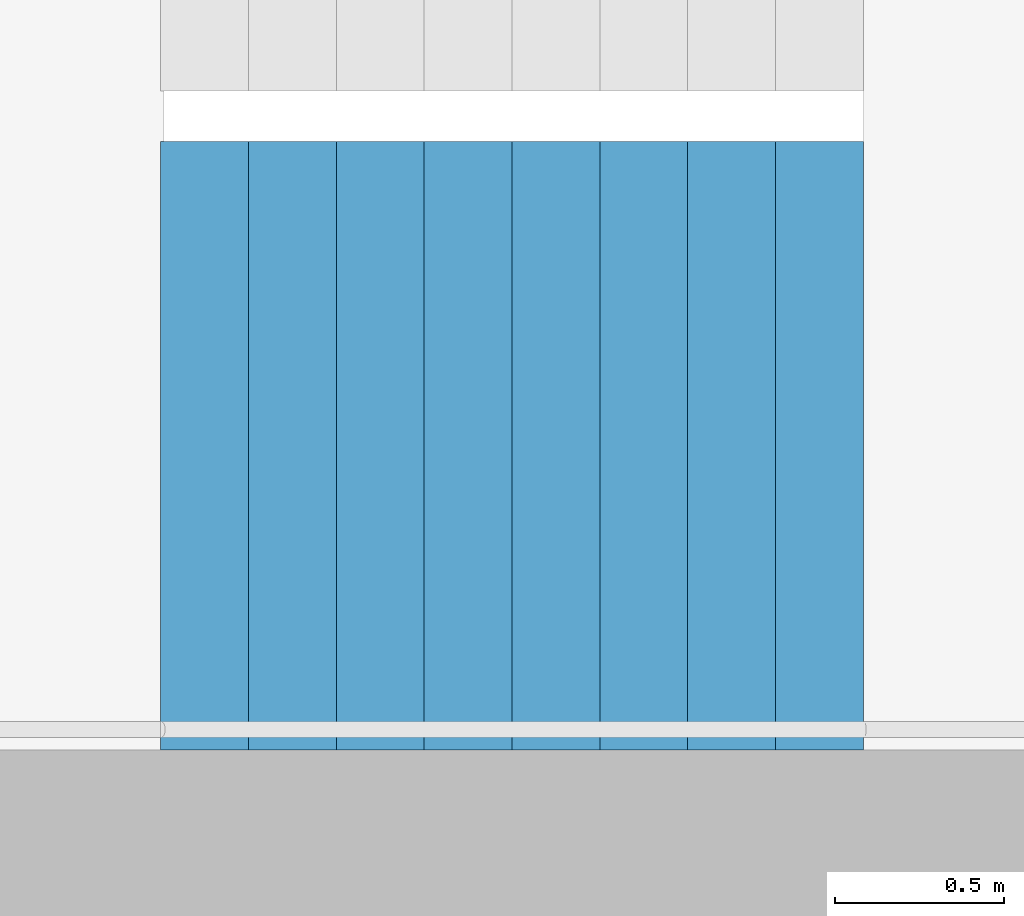
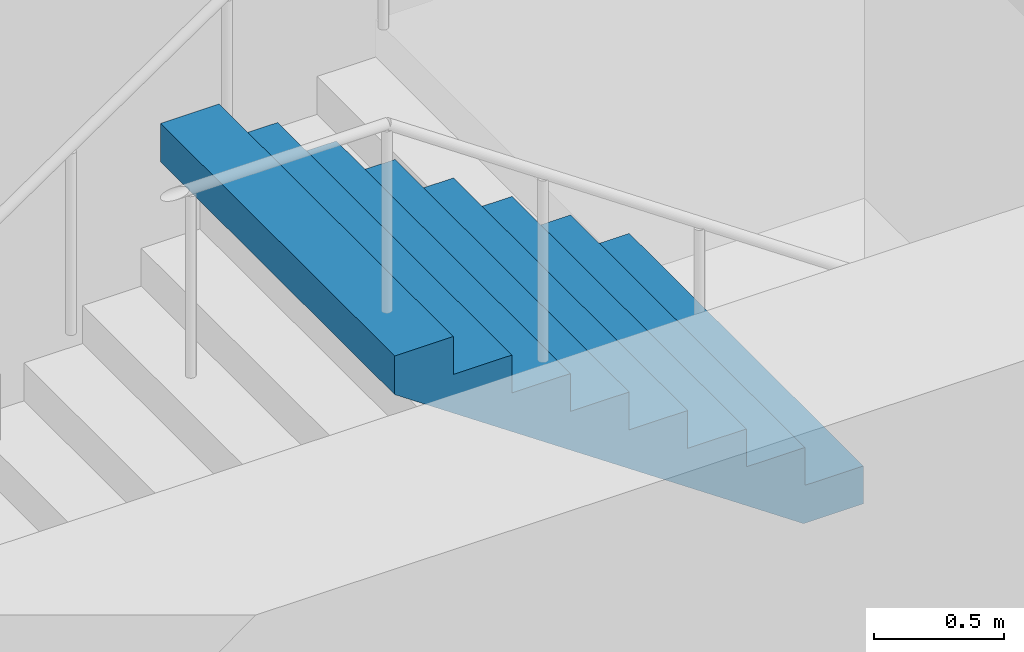
# One storey, part 20 of 28: 1 stair flight, 1 element without a shape of its own.
"""IFC4 building model written with IfcOpenShell, lengths in metres."""

from ifc_helpers import new_model, si_unit, direction, frame, origin, place, context, subcontext, project, spatial, triangles, material, type_object, element, aggregate, save


model = new_model("IFC4")

# Units and contexts
model_context = context("Model", 3, precision=1e-05, world=origin(), true_north=direction((0.0, 1.0)))
body_context = subcontext(model_context, "Body", "Model", "MODEL_VIEW")
ifc_project = project(units=[si_unit("LENGTHUNIT", "METRE"), si_unit("AREAUNIT", "SQUARE_METRE"), si_unit("VOLUMEUNIT", "CUBIC_METRE"), si_unit("PLANEANGLEUNIT", "RADIAN"), si_unit("MASSUNIT", "GRAM", prefix="KILO")], contexts=[model_context])

# Site, building, storey
site_placement = place(None, origin())
site = spatial("IfcSite", under=ifc_project, at=site_placement, CompositionType="ELEMENT")
building_placement = place(site_placement, origin())
building = spatial("IfcBuilding", under=site, at=building_placement, Name="Hakoniwa Tower and Hamabe Station Hall", CompositionType="ELEMENT")
storey_placement = place(building_placement, frame((0.0, 0.0, 218.60009765625)))
storey = spatial("IfcBuildingStorey", under=building, at=storey_placement, Name="L62", CompositionType="ELEMENT", Elevation=218.60009765625)

# Stair, stair flight
ifc_material_1 = material(Name="Concrete C40", Category="concrete")
stair_type = type_object("IfcStairType", Name="ESCAPE STAIR 1800", PredefinedType="HALF_TURN_STAIR", material=ifc_material_1)
stair_placement = place(storey_placement, origin())
stair = element("IfcStair", 1, at=stair_placement, inside=storey, type_object=stair_type, Name="Escape stair ST-4 L62", PredefinedType="HALF_TURN_STAIR")
ifc_material_2 = material(Name="Concrete C40", Category="concrete")
stair_flight_type = type_object("IfcStairFlightType", Name="STAIR FLIGHT 1800", PredefinedType="STRAIGHT", material=ifc_material_2)
stair_flight_placement = place(storey_placement, frame((25.47998046875, -6.60009765625, 1.599853515625), z_axis=(0.0, 0.0, 1.0), x_axis=(-1.0, 0.0, 0.0)))
stair_flight = element("IfcStairFlight", 2, at=stair_flight_placement, type_object=stair_flight_type, Name="ST-4 flight 2", NumberOfRisers=9, NumberOfTreads=8, PredefinedType="STRAIGHT", RiserHeight=0.177777778, TreadLength=0.26, context=body_context, shape_type="Tessellation", body=[
    triangles([(0.0, 0.89990234375, 0.0), (0.260009765625, 0.89990234375, 0.0), (0.265625, 0.89990234375, 0.0), (0.52001953125, 0.89990234375, 0.174072265625), (0.780029296875, 0.89990234375, 0.351806640625), (1.0400390625, 0.89990234375, 0.529541015625), (1.300048828125, 0.89990234375, 0.707275390625), (1.56005859375, 0.89990234375, 0.885009765625), (1.820068359375, 0.89990234375, 1.062744140625), (2.080078125, 0.89990234375, 1.24072265625), (2.080078125, 0.89990234375, 1.422119140625), (1.820068359375, 0.89990234375, 1.422119140625), (1.820068359375, 0.89990234375, 1.244384765625), (1.56005859375, 0.89990234375, 1.244384765625), (1.56005859375, 0.89990234375, 1.066650390625), (1.300048828125, 0.89990234375, 1.066650390625), (1.300048828125, 0.89990234375, 0.888916015625), (1.0400390625, 0.89990234375, 0.888916015625), (1.0400390625, 0.89990234375, 0.711181640625), (0.780029296875, 0.89990234375, 0.711181640625), (0.780029296875, 0.89990234375, 0.533447265625), (0.52001953125, 0.89990234375, 0.533447265625), (0.52001953125, 0.89990234375, 0.35546875), (0.265625, 0.89990234375, 0.35546875), (0.260009765625, 0.89990234375, 0.35546875), (0.260009765625, 0.89990234375, 0.177734375), (0.0, 0.89990234375, 0.177734375), (0.0, 0.06005859375, 0.0), (0.260009765625, 0.06005859375, 0.0), (0.265625, 0.06005859375, 0.0), (0.52001953125, 0.06005859375, 0.174072265625), (0.780029296875, 0.06005859375, 0.351806640625), (1.0400390625, 0.06005859375, 0.529541015625), (1.300048828125, 0.06005859375, 0.707275390625), (1.56005859375, 0.06005859375, 0.885009765625), (1.820068359375, 0.06005859375, 1.062744140625), (2.080078125, 0.06005859375, 1.24072265625), (2.080078125, 0.06005859375, 1.422119140625), (1.820068359375, 0.06005859375, 1.422119140625), (1.820068359375, 0.06005859375, 1.244384765625), (1.56005859375, 0.06005859375, 1.244384765625), (1.56005859375, 0.06005859375, 1.066650390625), (1.300048828125, 0.06005859375, 1.066650390625), (1.300048828125, 0.06005859375, 0.888916015625), (1.0400390625, 0.06005859375, 0.888916015625), (1.0400390625, 0.06005859375, 0.711181640625), (0.780029296875, 0.06005859375, 0.711181640625), (0.780029296875, 0.06005859375, 0.533447265625), (0.52001953125, 0.06005859375, 0.533447265625), (0.52001953125, 0.06005859375, 0.35546875), (0.265625, 0.06005859375, 0.35546875), (0.260009765625, 0.06005859375, 0.35546875), (0.260009765625, 0.06005859375, 0.177734375), (0.0, 0.06005859375, 0.177734375), (0.0, 0.04296875, 0.0), (0.260009765625, 0.04296875, 0.0), (0.265625, 0.04296875, 0.0), (0.52001953125, 0.04296875, 0.174072265625), (0.780029296875, 0.04296875, 0.351806640625), (1.0400390625, 0.04296875, 0.529541015625), (1.300048828125, 0.04296875, 0.707275390625), (1.56005859375, 0.04296875, 0.885009765625), (1.820068359375, 0.04296875, 1.062744140625), (2.080078125, 0.04296875, 1.24072265625), (2.080078125, 0.04296875, 1.422119140625), (1.820068359375, 0.04296875, 1.422119140625), (1.820068359375, 0.04296875, 1.244384765625), (1.56005859375, 0.04296875, 1.244384765625), (1.56005859375, 0.04296875, 1.066650390625), (1.300048828125, 0.04296875, 1.066650390625), (1.300048828125, 0.04296875, 0.888916015625), (1.0400390625, 0.04296875, 0.888916015625), (1.0400390625, 0.04296875, 0.711181640625), (0.780029296875, 0.04296875, 0.711181640625), (0.780029296875, 0.04296875, 0.533447265625), (0.52001953125, 0.04296875, 0.533447265625), (0.52001953125, 0.04296875, 0.35546875), (0.265625, 0.04296875, 0.35546875), (0.260009765625, 0.04296875, 0.35546875), (0.260009765625, 0.04296875, 0.177734375), (0.0, 0.04296875, 0.177734375), (0.0, 0.025634765625, 0.0), (0.260009765625, 0.025634765625, 0.0), (0.265625, 0.025634765625, 0.0), (0.52001953125, 0.025634765625, 0.174072265625), (0.780029296875, 0.025634765625, 0.351806640625), (1.0400390625, 0.025634765625, 0.529541015625), (1.300048828125, 0.025634765625, 0.707275390625), (1.56005859375, 0.025634765625, 0.885009765625), (1.820068359375, 0.025634765625, 1.062744140625), (2.080078125, 0.025634765625, 1.24072265625), (2.080078125, 0.025634765625, 1.422119140625), (1.820068359375, 0.025634765625, 1.422119140625), (1.820068359375, 0.025634765625, 1.244384765625), (1.56005859375, 0.025634765625, 1.244384765625), (1.56005859375, 0.025634765625, 1.066650390625), (1.300048828125, 0.025634765625, 1.066650390625), (1.300048828125, 0.025634765625, 0.888916015625), (1.0400390625, 0.025634765625, 0.888916015625), (1.0400390625, 0.025634765625, 0.711181640625), (0.780029296875, 0.025634765625, 0.711181640625), (0.780029296875, 0.025634765625, 0.533447265625), (0.52001953125, 0.025634765625, 0.533447265625), (0.52001953125, 0.025634765625, 0.35546875), (0.265625, 0.025634765625, 0.35546875), (0.260009765625, 0.025634765625, 0.35546875), (0.260009765625, 0.025634765625, 0.177734375), (0.0, 0.025634765625, 0.177734375), (0.0, 0.008544921875, 0.0), (0.260009765625, 0.008544921875, 0.0), (0.265625, 0.008544921875, 0.0), (0.52001953125, 0.008544921875, 0.174072265625), (0.780029296875, 0.008544921875, 0.351806640625), (1.0400390625, 0.008544921875, 0.529541015625), (1.300048828125, 0.008544921875, 0.707275390625), (1.56005859375, 0.008544921875, 0.885009765625), (1.820068359375, 0.008544921875, 1.062744140625), (2.080078125, 0.008544921875, 1.24072265625), (2.080078125, 0.008544921875, 1.422119140625), (1.820068359375, 0.008544921875, 1.422119140625), (1.820068359375, 0.008544921875, 1.244384765625), (1.56005859375, 0.008544921875, 1.244384765625), (1.56005859375, 0.008544921875, 1.066650390625), (1.300048828125, 0.008544921875, 1.066650390625), (1.300048828125, 0.008544921875, 0.888916015625), (1.0400390625, 0.008544921875, 0.888916015625), (1.0400390625, 0.008544921875, 0.711181640625), (0.780029296875, 0.008544921875, 0.711181640625), (0.780029296875, 0.008544921875, 0.533447265625), (0.52001953125, 0.008544921875, 0.533447265625), (0.52001953125, 0.008544921875, 0.35546875), (0.265625, 0.008544921875, 0.35546875), (0.260009765625, 0.008544921875, 0.35546875), (0.260009765625, 0.008544921875, 0.177734375), (0.0, 0.008544921875, 0.177734375), (0.0, -0.008544921875, 0.0), (0.260009765625, -0.008544921875, 0.0), (0.265625, -0.008544921875, 0.0), (0.52001953125, -0.008544921875, 0.174072265625), (0.780029296875, -0.008544921875, 0.351806640625), (1.0400390625, -0.008544921875, 0.529541015625), (1.300048828125, -0.008544921875, 0.707275390625), (1.56005859375, -0.008544921875, 0.885009765625), (1.820068359375, -0.008544921875, 1.062744140625), (2.080078125, -0.008544921875, 1.24072265625), (2.080078125, -0.008544921875, 1.422119140625), (1.820068359375, -0.008544921875, 1.422119140625), (1.820068359375, -0.008544921875, 1.244384765625), (1.56005859375, -0.008544921875, 1.244384765625), (1.56005859375, -0.008544921875, 1.066650390625), (1.300048828125, -0.008544921875, 1.066650390625), (1.300048828125, -0.008544921875, 0.888916015625), (1.0400390625, -0.008544921875, 0.888916015625), (1.0400390625, -0.008544921875, 0.711181640625), (0.780029296875, -0.008544921875, 0.711181640625), (0.780029296875, -0.008544921875, 0.533447265625), (0.52001953125, -0.008544921875, 0.533447265625), (0.52001953125, -0.008544921875, 0.35546875), (0.265625, -0.008544921875, 0.35546875), (0.260009765625, -0.008544921875, 0.35546875), (0.260009765625, -0.008544921875, 0.177734375), (0.0, -0.008544921875, 0.177734375), (0.0, -0.025634765625, 0.0), (0.260009765625, -0.025634765625, 0.0), (0.265625, -0.025634765625, 0.0), (0.52001953125, -0.025634765625, 0.174072265625), (0.780029296875, -0.025634765625, 0.351806640625), (1.0400390625, -0.025634765625, 0.529541015625), (1.300048828125, -0.025634765625, 0.707275390625), (1.56005859375, -0.025634765625, 0.885009765625), (1.820068359375, -0.025634765625, 1.062744140625), (2.080078125, -0.025634765625, 1.24072265625), (2.080078125, -0.025634765625, 1.422119140625), (1.820068359375, -0.025634765625, 1.422119140625), (1.820068359375, -0.025634765625, 1.244384765625), (1.56005859375, -0.025634765625, 1.244384765625), (1.56005859375, -0.025634765625, 1.066650390625), (1.300048828125, -0.025634765625, 1.066650390625), (1.300048828125, -0.025634765625, 0.888916015625), (1.0400390625, -0.025634765625, 0.888916015625), (1.0400390625, -0.025634765625, 0.711181640625), (0.780029296875, -0.025634765625, 0.711181640625), (0.780029296875, -0.025634765625, 0.533447265625), (0.52001953125, -0.025634765625, 0.533447265625), (0.52001953125, -0.025634765625, 0.35546875), (0.265625, -0.025634765625, 0.35546875), (0.260009765625, -0.025634765625, 0.35546875), (0.260009765625, -0.025634765625, 0.177734375), (0.0, -0.025634765625, 0.177734375), (0.0, -0.04296875, 0.0), (0.260009765625, -0.04296875, 0.0), (0.265625, -0.04296875, 0.0), (0.52001953125, -0.04296875, 0.174072265625), (0.780029296875, -0.04296875, 0.351806640625), (1.0400390625, -0.04296875, 0.529541015625), (1.300048828125, -0.04296875, 0.707275390625), (1.56005859375, -0.04296875, 0.885009765625), (1.820068359375, -0.04296875, 1.062744140625), (2.080078125, -0.04296875, 1.24072265625), (2.080078125, -0.04296875, 1.422119140625), (1.820068359375, -0.04296875, 1.422119140625), (1.820068359375, -0.04296875, 1.244384765625), (1.56005859375, -0.04296875, 1.244384765625), (1.56005859375, -0.04296875, 1.066650390625), (1.300048828125, -0.04296875, 1.066650390625), (1.300048828125, -0.04296875, 0.888916015625), (1.0400390625, -0.04296875, 0.888916015625), (1.0400390625, -0.04296875, 0.711181640625), (0.780029296875, -0.04296875, 0.711181640625), (0.780029296875, -0.04296875, 0.533447265625), (0.52001953125, -0.04296875, 0.533447265625), (0.52001953125, -0.04296875, 0.35546875), (0.265625, -0.04296875, 0.35546875), (0.260009765625, -0.04296875, 0.35546875), (0.260009765625, -0.04296875, 0.177734375), (0.0, -0.04296875, 0.177734375), (0.0, -0.06005859375, 0.0), (0.260009765625, -0.06005859375, 0.0), (0.265625, -0.06005859375, 0.0), (0.52001953125, -0.06005859375, 0.174072265625), (0.780029296875, -0.06005859375, 0.351806640625), (1.0400390625, -0.06005859375, 0.529541015625), (1.300048828125, -0.06005859375, 0.707275390625), (1.56005859375, -0.06005859375, 0.885009765625), (1.820068359375, -0.06005859375, 1.062744140625), (2.080078125, -0.06005859375, 1.24072265625), (2.080078125, -0.06005859375, 1.422119140625), (1.820068359375, -0.06005859375, 1.422119140625), (1.820068359375, -0.06005859375, 1.244384765625), (1.56005859375, -0.06005859375, 1.244384765625), (1.56005859375, -0.06005859375, 1.066650390625), (1.300048828125, -0.06005859375, 1.066650390625), (1.300048828125, -0.06005859375, 0.888916015625), (1.0400390625, -0.06005859375, 0.888916015625), (1.0400390625, -0.06005859375, 0.711181640625), (0.780029296875, -0.06005859375, 0.711181640625), (0.780029296875, -0.06005859375, 0.533447265625), (0.52001953125, -0.06005859375, 0.533447265625), (0.52001953125, -0.06005859375, 0.35546875), (0.265625, -0.06005859375, 0.35546875), (0.260009765625, -0.06005859375, 0.35546875), (0.260009765625, -0.06005859375, 0.177734375), (0.0, -0.06005859375, 0.177734375), (0.0, -0.89990234375, 0.0), (0.260009765625, -0.89990234375, 0.0), (0.265625, -0.89990234375, 0.0), (0.52001953125, -0.89990234375, 0.174072265625), (0.780029296875, -0.89990234375, 0.351806640625), (1.0400390625, -0.89990234375, 0.529541015625), (1.300048828125, -0.89990234375, 0.707275390625), (1.56005859375, -0.89990234375, 0.885009765625), (1.820068359375, -0.89990234375, 1.062744140625), (2.080078125, -0.89990234375, 1.24072265625), (2.080078125, -0.89990234375, 1.422119140625), (1.820068359375, -0.89990234375, 1.422119140625), (1.820068359375, -0.89990234375, 1.244384765625), (1.56005859375, -0.89990234375, 1.244384765625), (1.56005859375, -0.89990234375, 1.066650390625), (1.300048828125, -0.89990234375, 1.066650390625), (1.300048828125, -0.89990234375, 0.888916015625), (1.0400390625, -0.89990234375, 0.888916015625), (1.0400390625, -0.89990234375, 0.711181640625), (0.780029296875, -0.89990234375, 0.711181640625), (0.780029296875, -0.89990234375, 0.533447265625), (0.52001953125, -0.89990234375, 0.533447265625), (0.52001953125, -0.89990234375, 0.35546875), (0.265625, -0.89990234375, 0.35546875), (0.260009765625, -0.89990234375, 0.35546875), (0.260009765625, -0.89990234375, 0.177734375), (0.0, -0.89990234375, 0.177734375)], [[2, 27, 26], [245, 269, 270], [2, 1, 27], [245, 270, 244], [3, 25, 24], [246, 267, 268], [3, 26, 25], [246, 268, 269], [3, 2, 26], [246, 269, 245], [4, 24, 23], [247, 266, 267], [4, 3, 24], [247, 267, 246], [5, 22, 21], [248, 264, 265], [5, 23, 22], [248, 265, 266], [5, 4, 23], [248, 266, 247], [6, 20, 19], [249, 262, 263], [6, 21, 20], [249, 263, 264], [6, 5, 21], [249, 264, 248], [7, 18, 17], [250, 260, 261], [7, 19, 18], [250, 261, 262], [7, 6, 19], [250, 262, 249], [8, 16, 15], [251, 258, 259], [8, 17, 16], [251, 259, 260], [8, 7, 17], [251, 260, 250], [9, 14, 13], [252, 256, 257], [9, 15, 14], [252, 257, 258], [9, 8, 15], [252, 258, 251], [10, 12, 11], [253, 254, 255], [10, 13, 12], [253, 255, 256], [10, 9, 13], [253, 256, 252], [1, 2, 29], [1, 29, 28], [28, 29, 56], [28, 56, 55], [55, 56, 83], [55, 83, 82], [82, 83, 110], [82, 110, 109], [109, 110, 137], [109, 137, 136], [136, 137, 164], [136, 164, 163], [163, 164, 191], [163, 191, 190], [190, 191, 218], [190, 218, 217], [217, 218, 245], [217, 245, 244], [2, 3, 30], [2, 30, 29], [29, 30, 57], [29, 57, 56], [56, 57, 84], [56, 84, 83], [83, 84, 111], [83, 111, 110], [110, 111, 138], [110, 138, 137], [137, 138, 165], [137, 165, 164], [164, 165, 192], [164, 192, 191], [191, 192, 219], [191, 219, 218], [218, 219, 246], [218, 246, 245], [3, 4, 31], [3, 31, 30], [30, 31, 58], [30, 58, 57], [57, 58, 85], [57, 85, 84], [84, 85, 112], [84, 112, 111], [111, 112, 139], [111, 139, 138], [138, 139, 166], [138, 166, 165], [165, 166, 193], [165, 193, 192], [192, 193, 220], [192, 220, 219], [219, 220, 247], [219, 247, 246], [4, 5, 32], [4, 32, 31], [31, 32, 59], [31, 59, 58], [58, 59, 86], [58, 86, 85], [85, 86, 113], [85, 113, 112], [112, 113, 140], [112, 140, 139], [139, 140, 167], [139, 167, 166], [166, 167, 194], [166, 194, 193], [193, 194, 221], [193, 221, 220], [220, 221, 248], [220, 248, 247], [5, 6, 33], [5, 33, 32], [32, 33, 60], [32, 60, 59], [59, 60, 87], [59, 87, 86], [86, 87, 114], [86, 114, 113], [113, 114, 141], [113, 141, 140], [140, 141, 168], [140, 168, 167], [167, 168, 195], [167, 195, 194], [194, 195, 222], [194, 222, 221], [221, 222, 249], [221, 249, 248], [6, 7, 34], [6, 34, 33], [33, 34, 61], [33, 61, 60], [60, 61, 88], [60, 88, 87], [87, 88, 115], [87, 115, 114], [114, 115, 142], [114, 142, 141], [141, 142, 169], [141, 169, 168], [168, 169, 196], [168, 196, 195], [195, 196, 223], [195, 223, 222], [222, 223, 250], [222, 250, 249], [7, 8, 35], [7, 35, 34], [34, 35, 62], [34, 62, 61], [61, 62, 89], [61, 89, 88], [88, 89, 116], [88, 116, 115], [115, 116, 143], [115, 143, 142], [142, 143, 170], [142, 170, 169], [169, 170, 197], [169, 197, 196], [196, 197, 224], [196, 224, 223], [223, 224, 251], [223, 251, 250], [8, 9, 36], [8, 36, 35], [35, 36, 63], [35, 63, 62], [62, 63, 90], [62, 90, 89], [89, 90, 117], [89, 117, 116], [116, 117, 144], [116, 144, 143], [143, 144, 171], [143, 171, 170], [170, 171, 198], [170, 198, 197], [197, 198, 225], [197, 225, 224], [224, 225, 252], [224, 252, 251], [9, 10, 37], [9, 37, 36], [36, 37, 64], [36, 64, 63], [63, 64, 91], [63, 91, 90], [90, 91, 118], [90, 118, 117], [117, 118, 145], [117, 145, 144], [144, 145, 172], [144, 172, 171], [171, 172, 199], [171, 199, 198], [198, 199, 226], [198, 226, 225], [225, 226, 253], [225, 253, 252], [10, 11, 38], [10, 38, 37], [37, 38, 65], [37, 65, 64], [64, 65, 92], [64, 92, 91], [91, 92, 119], [91, 119, 118], [118, 119, 146], [118, 146, 145], [145, 146, 173], [145, 173, 172], [172, 173, 200], [172, 200, 199], [199, 200, 227], [199, 227, 226], [226, 227, 254], [226, 254, 253], [11, 12, 39], [11, 39, 38], [38, 39, 66], [38, 66, 65], [65, 66, 93], [65, 93, 92], [92, 93, 120], [92, 120, 119], [119, 120, 147], [119, 147, 146], [146, 147, 174], [146, 174, 173], [173, 174, 201], [173, 201, 200], [200, 201, 228], [200, 228, 227], [227, 228, 255], [227, 255, 254], [12, 13, 40], [12, 40, 39], [39, 40, 67], [39, 67, 66], [66, 67, 94], [66, 94, 93], [93, 94, 121], [93, 121, 120], [120, 121, 148], [120, 148, 147], [147, 148, 175], [147, 175, 174], [174, 175, 202], [174, 202, 201], [201, 202, 229], [201, 229, 228], [228, 229, 256], [228, 256, 255], [13, 14, 41], [13, 41, 40], [40, 41, 68], [40, 68, 67], [67, 68, 95], [67, 95, 94], [94, 95, 122], [94, 122, 121], [121, 122, 149], [121, 149, 148], [148, 149, 176], [148, 176, 175], [175, 176, 203], [175, 203, 202], [202, 203, 230], [202, 230, 229], [229, 230, 257], [229, 257, 256], [14, 15, 42], [14, 42, 41], [41, 42, 69], [41, 69, 68], [68, 69, 96], [68, 96, 95], [95, 96, 123], [95, 123, 122], [122, 123, 150], [122, 150, 149], [149, 150, 177], [149, 177, 176], [176, 177, 204], [176, 204, 203], [203, 204, 231], [203, 231, 230], [230, 231, 258], [230, 258, 257], [15, 16, 43], [15, 43, 42], [42, 43, 70], [42, 70, 69], [69, 70, 97], [69, 97, 96], [96, 97, 124], [96, 124, 123], [123, 124, 151], [123, 151, 150], [150, 151, 178], [150, 178, 177], [177, 178, 205], [177, 205, 204], [204, 205, 232], [204, 232, 231], [231, 232, 259], [231, 259, 258], [16, 17, 44], [16, 44, 43], [43, 44, 71], [43, 71, 70], [70, 71, 98], [70, 98, 97], [97, 98, 125], [97, 125, 124], [124, 125, 152], [124, 152, 151], [151, 152, 179], [151, 179, 178], [178, 179, 206], [178, 206, 205], [205, 206, 233], [205, 233, 232], [232, 233, 260], [232, 260, 259], [17, 18, 45], [17, 45, 44], [44, 45, 72], [44, 72, 71], [71, 72, 99], [71, 99, 98], [98, 99, 126], [98, 126, 125], [125, 126, 153], [125, 153, 152], [152, 153, 180], [152, 180, 179], [179, 180, 207], [179, 207, 206], [206, 207, 234], [206, 234, 233], [233, 234, 261], [233, 261, 260], [18, 19, 46], [18, 46, 45], [45, 46, 73], [45, 73, 72], [72, 73, 100], [72, 100, 99], [99, 100, 127], [99, 127, 126], [126, 127, 154], [126, 154, 153], [153, 154, 181], [153, 181, 180], [180, 181, 208], [180, 208, 207], [207, 208, 235], [207, 235, 234], [234, 235, 262], [234, 262, 261], [19, 20, 47], [19, 47, 46], [46, 47, 74], [46, 74, 73], [73, 74, 101], [73, 101, 100], [100, 101, 128], [100, 128, 127], [127, 128, 155], [127, 155, 154], [154, 155, 182], [154, 182, 181], [181, 182, 209], [181, 209, 208], [208, 209, 236], [208, 236, 235], [235, 236, 263], [235, 263, 262], [20, 21, 48], [20, 48, 47], [47, 48, 75], [47, 75, 74], [74, 75, 102], [74, 102, 101], [101, 102, 129], [101, 129, 128], [128, 129, 156], [128, 156, 155], [155, 156, 183], [155, 183, 182], [182, 183, 210], [182, 210, 209], [209, 210, 237], [209, 237, 236], [236, 237, 264], [236, 264, 263], [21, 22, 49], [21, 49, 48], [48, 49, 76], [48, 76, 75], [75, 76, 103], [75, 103, 102], [102, 103, 130], [102, 130, 129], [129, 130, 157], [129, 157, 156], [156, 157, 184], [156, 184, 183], [183, 184, 211], [183, 211, 210], [210, 211, 238], [210, 238, 237], [237, 238, 265], [237, 265, 264], [22, 23, 50], [22, 50, 49], [49, 50, 77], [49, 77, 76], [76, 77, 104], [76, 104, 103], [103, 104, 131], [103, 131, 130], [130, 131, 158], [130, 158, 157], [157, 158, 185], [157, 185, 184], [184, 185, 212], [184, 212, 211], [211, 212, 239], [211, 239, 238], [238, 239, 266], [238, 266, 265], [23, 24, 51], [23, 51, 50], [50, 51, 78], [50, 78, 77], [77, 78, 105], [77, 105, 104], [104, 105, 132], [104, 132, 131], [131, 132, 159], [131, 159, 158], [158, 159, 186], [158, 186, 185], [185, 186, 213], [185, 213, 212], [212, 213, 240], [212, 240, 239], [239, 240, 267], [239, 267, 266], [24, 25, 52], [24, 52, 51], [51, 52, 79], [51, 79, 78], [78, 79, 106], [78, 106, 105], [105, 106, 133], [105, 133, 132], [132, 133, 160], [132, 160, 159], [159, 160, 187], [159, 187, 186], [186, 187, 214], [186, 214, 213], [213, 214, 241], [213, 241, 240], [240, 241, 268], [240, 268, 267], [25, 26, 53], [25, 53, 52], [52, 53, 80], [52, 80, 79], [79, 80, 107], [79, 107, 106], [106, 107, 134], [106, 134, 133], [133, 134, 161], [133, 161, 160], [160, 161, 188], [160, 188, 187], [187, 188, 215], [187, 215, 214], [214, 215, 242], [214, 242, 241], [241, 242, 269], [241, 269, 268], [26, 27, 54], [26, 54, 53], [53, 54, 81], [53, 81, 80], [80, 81, 108], [80, 108, 107], [107, 108, 135], [107, 135, 134], [134, 135, 162], [134, 162, 161], [161, 162, 189], [161, 189, 188], [188, 189, 216], [188, 216, 215], [215, 216, 243], [215, 243, 242], [242, 243, 270], [242, 270, 269], [27, 1, 28], [27, 28, 54], [54, 28, 55], [54, 55, 81], [81, 55, 82], [81, 82, 108], [108, 82, 109], [108, 109, 135], [135, 109, 136], [135, 136, 162], [162, 136, 163], [162, 163, 189], [189, 163, 190], [189, 190, 216], [216, 190, 217], [216, 217, 243], [243, 217, 244], [243, 244, 270]], closed=True),
])
aggregate(stair, [stair_flight])

save(model, "model.ifc")
